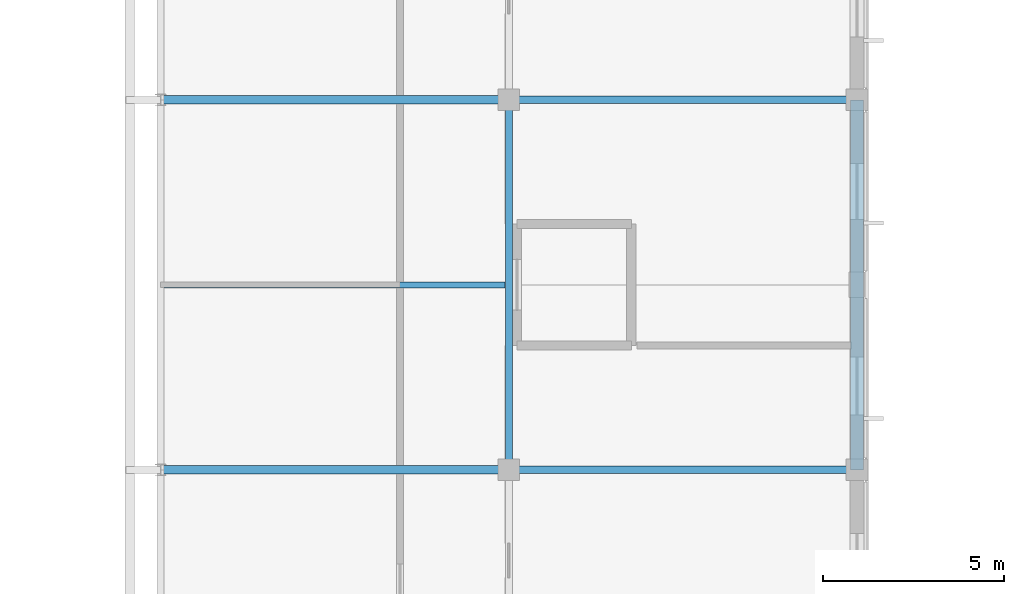
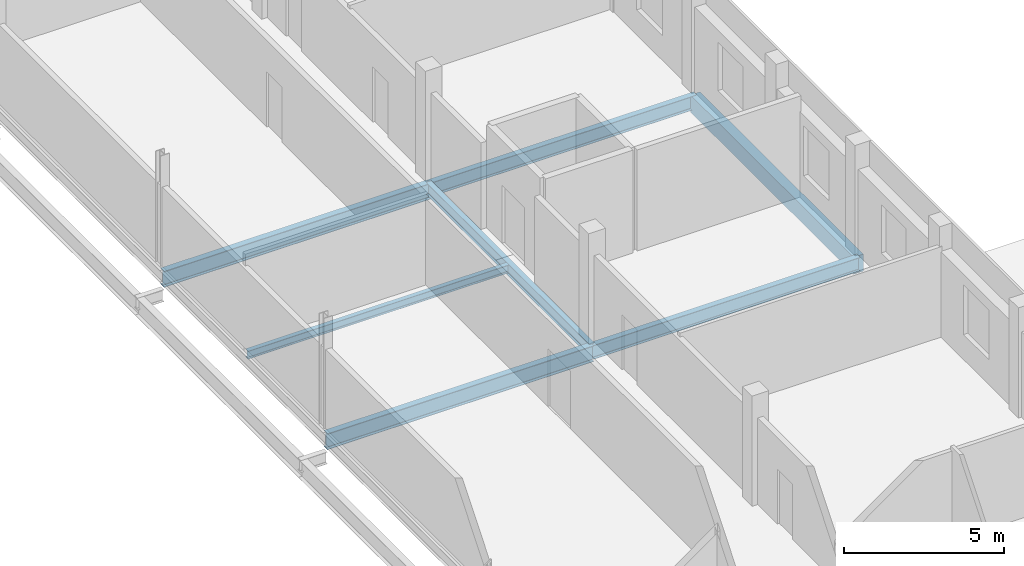
# One storey, part 51 of 170: 7 beams.
"""IFC4 building model written with IfcOpenShell, lengths in metres."""

from ifc_helpers import new_model, si_unit, direction, frame, origin, origin_2d, place, context, subcontext, project, spatial, rectangle, i_section, extrude, material, material_profile, profile_set, type_object, element, save


model = new_model("IFC4")

# Units and contexts
model_context = context("Model", 3, precision=1e-05, world=origin(), true_north=direction((0.0, 1.0)))
body_context = subcontext(model_context, "Body", "Model", "MODEL_VIEW")
ifc_project = project(units=[si_unit("LENGTHUNIT", "METRE"), si_unit("AREAUNIT", "SQUARE_METRE"), si_unit("VOLUMEUNIT", "CUBIC_METRE"), si_unit("PLANEANGLEUNIT", "RADIAN"), si_unit("MASSUNIT", "GRAM", prefix="KILO")], contexts=[model_context])

# Site, building, storey
site_placement = place(None, origin())
site = spatial("IfcSite", under=ifc_project, at=site_placement, CompositionType="ELEMENT")
building_placement = place(site_placement, origin())
building = spatial("IfcBuilding", under=site, at=building_placement, Name="Vondelvale Polytechnic", CompositionType="ELEMENT")
storey_placement = place(building_placement, frame((0.0, 0.0, 5.39990234375)))
storey = spatial("IfcBuildingStorey", under=building, at=storey_placement, Name="L01", CompositionType="ELEMENT", Elevation=5.39990234375)

# Beams
ifc_material_1 = material(Name="Steel 300PLUS (fy = 300 MPa)", Category="steel")
ifc_material_profile_1 = material_profile(ifc_material_1, i_section(OverallWidth=0.18994140625, OverallDepth=0.45703125, WebThickness=0.009033203125, FlangeThickness=0.014404296875, FilletRadius=0.011474609375, at=origin_2d()), Name="460UB74.6")
ifc_profile_set_1 = profile_set([ifc_material_profile_1], Name="Steel 300PLUS (fy = 300 MPa)")
beam_type_1 = type_object("IfcBeamType", Name="BM-UB460", PredefinedType="BEAM", material=ifc_profile_set_1)
beam_1_placement = place(storey_placement, frame((38.39990234375, 81.60009765625, -0.50830078125), z_axis=(0.0, 1.0, 0.0), x_axis=(-1.0, 0.0, 0.0)))
element("IfcBeam", 1, at=beam_1_placement, inside=storey, type_object=beam_type_1, Name="L01 B B-13", PredefinedType="BEAM", context=body_context, shape_type="SweptSolid", body=[
    extrude(i_section(OverallWidth=0.18994140625, OverallDepth=0.45703125, WebThickness=0.009033203125, FlangeThickness=0.014404296875, FilletRadius=0.011474609375, at=origin_2d()), origin(), (0.0, 0.0, 1.0), 10.199951171875),
])
ifc_material_profile_2 = material_profile(ifc_material_1, i_section(OverallWidth=0.208984375, OverallDepth=0.528076171875, WebThickness=0.009521484375, FlangeThickness=0.01318359375, FilletRadius=0.013916015625, at=origin_2d()), Name="530UB82.0")
ifc_profile_set_2 = profile_set([ifc_material_profile_2], Name="Steel 300PLUS (fy = 300 MPa)")
beam_type_2 = type_object("IfcBeamType", Name="BM-UB530L", PredefinedType="BEAM", material=ifc_profile_set_2)
for number, where, z_axis, x_axis, name in (
    (2, (38.39990234375, 81.60009765625, -0.5439453125), (1.0, 0.0, 0.0), (0.0, 1.0, 0.0), "L01 B B-21"),
    (3, (38.39990234375, 91.800048828125, -0.5439453125), (1.0, 0.0, 0.0), (0.0, 1.0, 0.0), "L01 B B-21"),
):
    element("IfcBeam", number, at=place(storey_placement, frame(where, z_axis=z_axis, x_axis=x_axis)), inside=storey, type_object=beam_type_2, Name=name, PredefinedType="BEAM", context=body_context, shape_type="SweptSolid", body=[
        extrude(i_section(OverallWidth=0.208984375, OverallDepth=0.528076171875, WebThickness=0.009521484375, FlangeThickness=0.01318359375, FilletRadius=0.013916015625, at=origin_2d()), origin(), (0.0, 0.0, 1.0), 9.60009765625),
    ])
ifc_material_profile_3 = material_profile(ifc_material_1, i_section(OverallWidth=0.22802734375, OverallDepth=0.60693359375, WebThickness=0.01123046875, FlangeThickness=0.017333984375, FilletRadius=0.013916015625, at=origin_2d()), Name="610UB113")
ifc_profile_set_3 = profile_set([ifc_material_profile_3], Name="Steel 300PLUS (fy = 300 MPa)")
beam_type_3 = type_object("IfcBeamType", Name="BM-UB610M", PredefinedType="BEAM", material=ifc_profile_set_3)
for number, where, z_axis, x_axis, name in (
    (4, (28.800048828125, 81.60009765625, -0.58349609375), (1.0, 0.0, 0.0), (0.0, 1.0, 0.0), "L01 B B-20"),
    (5, (28.800048828125, 91.800048828125, -0.58349609375), (1.0, 0.0, 0.0), (0.0, 1.0, 0.0), "L01 B B-20"),
):
    element("IfcBeam", number, at=place(storey_placement, frame(where, z_axis=z_axis, x_axis=x_axis)), inside=storey, type_object=beam_type_3, Name=name, PredefinedType="BEAM", context=body_context, shape_type="SweptSolid", body=[
        extrude(i_section(OverallWidth=0.22802734375, OverallDepth=0.60693359375, WebThickness=0.01123046875, FlangeThickness=0.017333984375, FilletRadius=0.013916015625, at=origin_2d()), origin(), (0.0, 0.0, 1.0), 9.599853515625),
    ])
ifc_material_profile_4 = material_profile(ifc_material_1, i_section(OverallWidth=0.1650390625, OverallDepth=0.303955078125, WebThickness=0.006103515625, FlangeThickness=0.01025390625, FilletRadius=0.011474609375, at=origin_2d()), Name="310UB40.4")
ifc_profile_set_4 = profile_set([ifc_material_profile_4], Name="Steel 300PLUS (fy = 300 MPa)")
beam_type_4 = type_object("IfcBeamType", Name="JST-UB310", PredefinedType="JOIST", material=ifc_profile_set_4)
beam_2_placement = place(storey_placement, frame((28.89990234375, 86.699951171875, -0.431884765625), z_axis=(1.0, 0.0, 0.0), x_axis=(0.0, 1.0, 0.0)))
element("IfcBeam", 6, at=beam_2_placement, inside=storey, type_object=beam_type_4, Name="L01 J J-05", PredefinedType="JOIST", context=body_context, shape_type="SweptSolid", body=[
    extrude(i_section(OverallWidth=0.1650390625, OverallDepth=0.303955078125, WebThickness=0.006103515625, FlangeThickness=0.01025390625, FilletRadius=0.011474609375, at=origin_2d()), origin(), (0.0, 0.0, 1.0), 9.400146484375),
])
ifc_material_2 = material(Name="Precast concrete N40 (f'c = 40 MPa)", Category="concrete")
ifc_material_profile_5 = material_profile(ifc_material_2, rectangle(XDim=0.35009765625, YDim=0.64990234375, at=origin_2d()), Name="RC-SPN-350x650")
ifc_profile_set_5 = profile_set([ifc_material_profile_5], Name="Precast concrete N40 (f'c = 40 MPa)")
beam_type_5 = type_object("IfcBeamType", Name="SPN-PRE350x650", PredefinedType="SPANDREL", material=ifc_profile_set_5)
beam_3_placement = place(storey_placement, frame((48.0, 81.60009765625, -0.60498046875), z_axis=(0.0, 1.0, 0.0), x_axis=(-1.0, 0.0, 0.0)))
element("IfcBeam", 7, at=beam_3_placement, inside=storey, type_object=beam_type_5, Name="L01 B SP-02", PredefinedType="SPANDREL", context=body_context, shape_type="SweptSolid", body=[
    extrude(rectangle(XDim=0.35009765625, YDim=0.64990234375, at=origin_2d()), origin(), (0.0, 0.0, 1.0), 10.199951171875),
])

save(model, "model.ifc")
